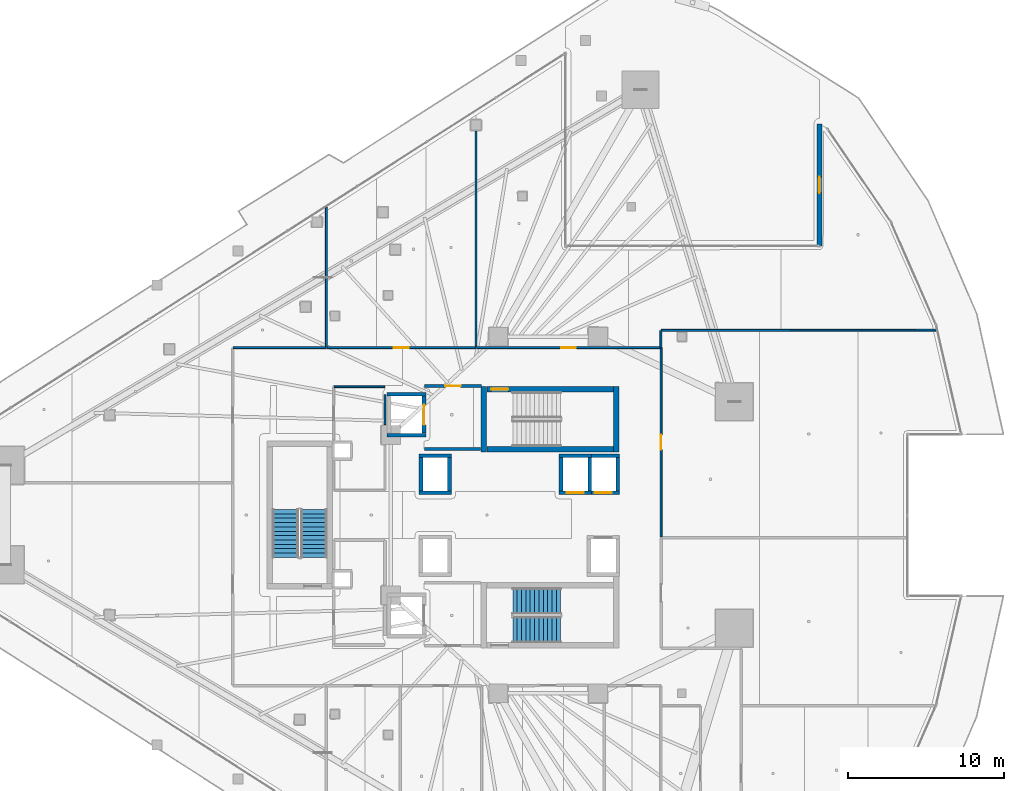
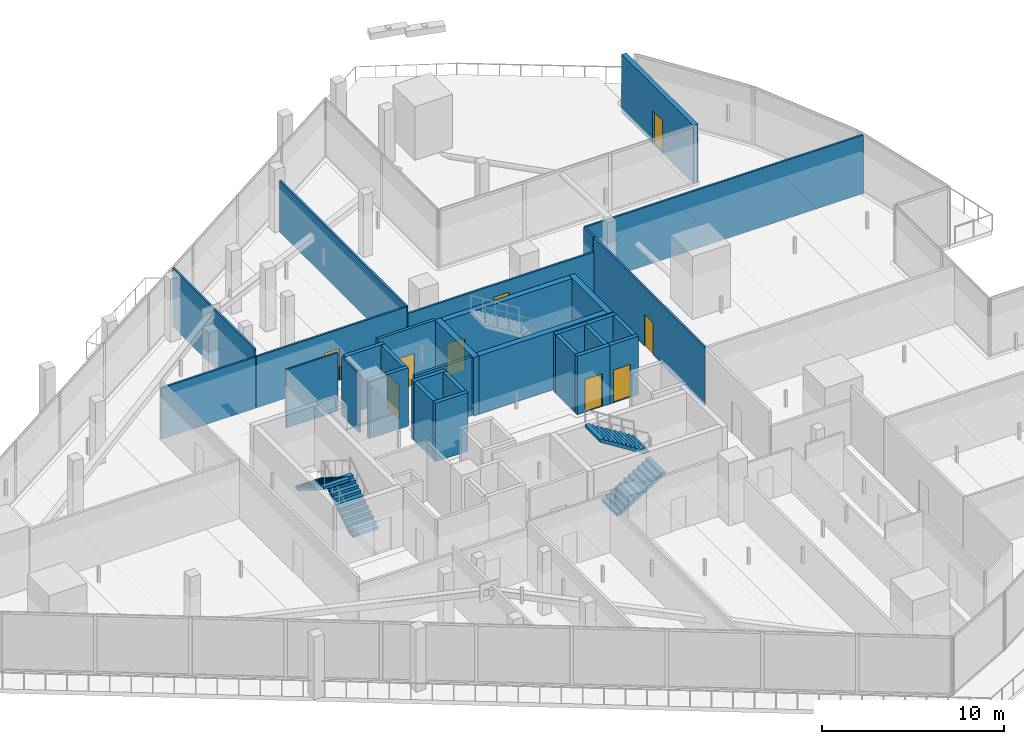
# One storey, part 33 of 47: 31 walls, 9 doors, 4 stair flights, 9 openings, 2 elements without a shape of their own.
"""IFC4 building model written with IfcOpenShell, lengths in metres."""

from ifc_helpers import new_model, si_unit, direction, frame, frame_2d, origin, place, context, subcontext, project, spatial, polyline, rectangle, outline, extrude, material, layer, layer_set, type_object, element, fill, aggregate, save


model = new_model("IFC4")

# Units and contexts
model_context = context("Model", 3, precision=1e-05, world=origin(), true_north=direction((0.0, 1.0)))
body_context = subcontext(model_context, "Body", "Model", "MODEL_VIEW")
ifc_project = project(units=[si_unit("LENGTHUNIT", "METRE"), si_unit("AREAUNIT", "SQUARE_METRE"), si_unit("VOLUMEUNIT", "CUBIC_METRE"), si_unit("PLANEANGLEUNIT", "RADIAN"), si_unit("MASSUNIT", "GRAM", prefix="KILO")], contexts=[model_context])

# Site, building, storey
site_placement = place(None, origin())
site = spatial("IfcSite", under=ifc_project, at=site_placement, CompositionType="ELEMENT")
building_placement = place(site_placement, origin())
building = spatial("IfcBuilding", under=site, at=building_placement, Name="Qorvath Tower", CompositionType="ELEMENT")
storey_placement = place(building_placement, frame((0.0, 0.0, 74.39990234375)))
storey = spatial("IfcBuildingStorey", under=building, at=storey_placement, Name="L16", CompositionType="ELEMENT", Elevation=74.39990234375)

# Wall
ifc_material_1 = material(Name="Gypsum shaftliner on steel studs", Category="steel")
ifc_layer_1 = layer(ifc_material_1, 0.179931640625)
ifc_layer_set_1 = layer_set([ifc_layer_1], Name="FW-LOBBY")
wall_type_1 = type_object("IfcWallType", Name="FW-LOBBY", PredefinedType="PARTITIONING", material=ifc_layer_set_1)
wall_1_placement = place(storey_placement, frame((-28.35498046875, 4.25, 0.0), z_axis=(0.0, 0.0, 1.0), x_axis=(1.0, 0.0, 0.0)))
element("IfcWall", 1, at=wall_1_placement, inside=storey, type_object=wall_type_1, Name="Interior Partition IW-T1-L16-001", PredefinedType="PARTITIONING", context=body_context, shape_type="SweptSolid", body=[
    extrude(rectangle(XDim=3.6220703125, YDim=0.179931640625, at=frame_2d((1.81103515625, 0.0))), origin(), (0.0, 0.0, 1.0), 3.920166015625),
])

# Wall, opening, door
wall_2_placement = place(storey_placement, frame((-24.68408203125, 8.300048828125, 0.0), z_axis=(0.0, 0.0, 1.0), x_axis=(-1.0, 0.0, 0.0)))
wall_2 = element("IfcWall", 2, at=wall_2_placement, inside=storey, type_object=wall_type_1, Name="Interior Partition IW-T1-L16-002", PredefinedType="PARTITIONING", context=body_context, shape_type="SweptSolid", body=[
    extrude(rectangle(XDim=3.6708984375, YDim=0.179931640625, at=frame_2d((1.83544921875, 0.0))), origin(), (0.0, 0.0, 1.0), 3.920166015625),
])
opening_1_placement = place(wall_2_placement, frame((1.33544921875, 0.0, 0.0)))
opening_1 = element("IfcOpeningElement", 3, at=opening_1_placement, cuts=wall_2, Name="Opening D-T1-L16-16", PredefinedType="OPENING", context=body_context, shape_type="SweptSolid", body=[
    extrude(rectangle(XDim=1.0, YDim=2.14990234375, at=frame_2d((0.5, 1.074951171875))), frame((0.0, 0.10009765625, 0.0), z_axis=(0.0, -1.0, 0.0), x_axis=(1.0, 0.0, 0.0)), (0.0, 0.0, 1.0), 0.199951171875),
])
ifc_material_2 = material(Name="Painted galvanised hollow metal", Category="steel")
door_type_1 = type_object("IfcDoorType", Name="FD-60", OperationType="NOTDEFINED", PredefinedType="DOOR", material=ifc_material_2)
door_1_placement = place(opening_1_placement, origin())
door_1 = element("IfcDoor", 4, at=door_1_placement, inside=storey, type_object=door_type_1, Name="Lobby Fire Service Elevator North Door D-T1-L16-16", OperationType="SINGLE_SWING_LEFT", OverallHeight=2.14990234375, OverallWidth=1.0, PredefinedType="DOOR", context=body_context, shape_type="SweptSolid", body=[
    extrude(rectangle(XDim=1.0, YDim=2.14990234375, at=frame_2d((0.5, 1.074951171875))), frame((0.0, 0.02490234375, 0.0), z_axis=(0.0, -1.0, 0.0), x_axis=(1.0, 0.0, 0.0)), (0.0, 0.0, 1.0), 0.050048828125),
])
fill(opening_1, door_1)

ifc_material_3 = material(Name="Gypsum board on metal studs with mineral wool", Category="gypsum")
ifc_layer_2 = layer(ifc_material_3, 0.125)
ifc_layer_set_2 = layer_set([ifc_layer_2], Name="IW-PART-125")
wall_type_2 = type_object("IfcWallType", Name="IW-PART-125", PredefinedType="PARTITIONING", material=ifc_layer_set_2)
wall_3_placement = place(storey_placement, frame((-34.625, 10.758056640625, 0.0), z_axis=(0.0, 0.0, 1.0), x_axis=(1.0, 0.0, 0.0)))
wall_3 = element("IfcWall", 5, at=wall_3_placement, inside=storey, type_object=wall_type_2, Name="Interior Partition IW-T1-L16-017", PredefinedType="PARTITIONING", context=body_context, shape_type="SweptSolid", body=[
    extrude(rectangle(XDim=9.566162109375, YDim=0.125, at=frame_2d((4.783203125, 0.0))), origin(), (0.0, 0.0, 1.0), 3.43310546875),
])
opening_2_placement = place(wall_3_placement, frame((4.30810546875, 0.0, 0.0)))
opening_2 = element("IfcOpeningElement", 6, at=opening_2_placement, cuts=wall_3, Name="Opening D-T1-L16-03", PredefinedType="OPENING", context=body_context, shape_type="SweptSolid", body=[
    extrude(rectangle(XDim=0.949951171875, YDim=2.14990234375, at=frame_2d((0.47509765625, 1.074951171875))), frame((0.0, 0.072509765625, 0.0), z_axis=(0.0, -1.0, 0.0), x_axis=(1.0, 0.0, 0.0)), (0.0, 0.0, 1.0), 0.14501953125),
])
ifc_material_4 = material(Name="Solid-core American white oak veneer", Category="wood")
door_type_2 = type_object("IfcDoorType", Name="D-01", OperationType="NOTDEFINED", PredefinedType="DOOR", material=ifc_material_4)
door_2_placement = place(opening_2_placement, origin())
door_2 = element("IfcDoor", 7, at=door_2_placement, inside=storey, type_object=door_type_2, Name="L16-01 Focus Collaboration Pod Door D-T1-L16-03", OperationType="SINGLE_SWING_RIGHT", OverallHeight=2.14990234375, OverallWidth=0.949951171875, PredefinedType="DOOR", context=body_context, shape_type="SweptSolid", body=[
    extrude(rectangle(XDim=0.949951171875, YDim=2.14990234375, at=frame_2d((0.47509765625, 1.074951171875))), frame((0.0, 0.02490234375, 0.0), z_axis=(0.0, -1.0, 0.0), x_axis=(1.0, 0.0, 0.0)), (0.0, 0.0, 1.0), 0.050048828125),
])
fill(opening_2, door_2)

# Walls
wall_4_placement = place(storey_placement, frame((-25.033935546875, 10.783203125, 0.0), z_axis=(0.0, 0.0, 1.0), x_axis=(0.0, 1.0, 0.0)))
element("IfcWall", 8, at=wall_4_placement, inside=storey, type_object=wall_type_2, Name="Interior Partition IW-T1-L16-018", PredefinedType="PARTITIONING", context=body_context, shape_type="SweptSolid", body=[
    extrude(rectangle(XDim=13.885498046875, YDim=0.125, at=frame_2d((6.94287109375, 0.0))), origin(), (0.0, 0.0, 1.0), 3.43310546875),
])
wall_5_placement = place(storey_placement, frame((-34.64990234375, 19.766357421875, 0.0), z_axis=(0.0, 0.0, 1.0), x_axis=(0.0, -1.0, 0.0)))
element("IfcWall", 9, at=wall_5_placement, inside=storey, type_object=wall_type_2, Name="Interior Partition IW-T1-L16-019", PredefinedType="PARTITIONING", context=body_context, shape_type="SweptSolid", body=[
    extrude(rectangle(XDim=8.983154296875, YDim=0.125, at=frame_2d((4.49169921875, 0.0))), origin(), (0.0, 0.0, 1.0), 3.920166015625),
])

# Wall, opening, door
wall_6_placement = place(storey_placement, frame((-25.0009765625, 10.758056640625, 0.0), z_axis=(0.0, 0.0, 1.0), x_axis=(1.0, 0.0, 0.0)))
wall_6 = element("IfcWall", 10, at=wall_6_placement, inside=storey, type_object=wall_type_2, Name="Interior Partition IW-T1-L16-020", PredefinedType="PARTITIONING", context=body_context, shape_type="SweptSolid", body=[
    extrude(rectangle(XDim=11.826171875, YDim=0.125, at=frame_2d((5.9130859375, 0.0))), origin(), (0.0, 0.0, 1.0), 2.95703125),
])
opening_3_placement = place(wall_6_placement, frame((5.43798828125, 0.0, 0.0)))
opening_3 = element("IfcOpeningElement", 11, at=opening_3_placement, cuts=wall_6, Name="Opening D-T1-L16-04", PredefinedType="OPENING", context=body_context, shape_type="SweptSolid", body=[
    extrude(rectangle(XDim=0.949951171875, YDim=2.14990234375, at=frame_2d((0.47509765625, 1.074951171875))), frame((0.0, 0.072509765625, 0.0), z_axis=(0.0, -1.0, 0.0), x_axis=(1.0, 0.0, 0.0)), (0.0, 0.0, 1.0), 0.14501953125),
])
door_3_placement = place(opening_3_placement, origin())
door_3 = element("IfcDoor", 12, at=door_3_placement, inside=storey, type_object=door_type_2, Name="L16-02 Staff Refreshment Pantry and Coffee Bar Door D-T1-L16-04", OperationType="SINGLE_SWING_LEFT", OverallHeight=2.14990234375, OverallWidth=0.949951171875, PredefinedType="DOOR", context=body_context, shape_type="SweptSolid", body=[
    extrude(rectangle(XDim=0.949951171875, YDim=2.14990234375, at=frame_2d((0.47509765625, 1.074951171875))), frame((0.0, 0.02490234375, 0.0), z_axis=(0.0, -1.0, 0.0), x_axis=(1.0, 0.0, 0.0)), (0.0, 0.0, 1.0), 0.050048828125),
])
fill(opening_3, door_3)

# Walls
wall_7_placement = place(storey_placement, frame((-13.14990234375, 11.845703125, 0.0), z_axis=(0.0, 0.0, 1.0), x_axis=(0.0, -1.0, 0.0)))
element("IfcWall", 13, at=wall_7_placement, inside=storey, type_object=wall_type_2, Name="Interior Partition IW-T1-L16-021", PredefinedType="PARTITIONING", context=body_context, shape_type="SweptSolid", body=[
    extrude(rectangle(XDim=1.0625, YDim=0.125, at=frame_2d((0.53125, 0.0))), origin(), (0.0, 0.0, 1.0), 3.920166015625),
])
wall_8_placement = place(storey_placement, frame((-13.125, 11.87060546875, 0.0), z_axis=(0.0, 0.0, 1.0), x_axis=(0.999999908086, 0.000428751188, 0.0)))
element("IfcWall", 14, at=wall_8_placement, inside=storey, type_object=wall_type_2, Name="Interior Partition IW-T1-L16-022", PredefinedType="PARTITIONING", context=body_context, shape_type="SweptSolid", body=[
    extrude(rectangle(XDim=17.652099609375, YDim=0.125, at=frame_2d((8.826171875, 0.0))), origin(), (0.0, 0.0, 1.0), 3.920166015625),
])

# Wall, opening, door
wall_9_placement = place(storey_placement, frame((-13.14208984375, 10.75830078125, 0.0), z_axis=(0.0, 0.0, 1.0), x_axis=(0.0, -1.0, 0.0)))
wall_9 = element("IfcWall", 15, at=wall_9_placement, inside=storey, type_object=wall_type_2, Name="Interior Partition IW-T1-L16-045", PredefinedType="PARTITIONING", context=body_context, shape_type="SweptSolid", body=[
    extrude(rectangle(XDim=12.16650390625, YDim=0.125, at=frame_2d((6.083251953125, 0.0))), origin(), (0.0, 0.0, 1.0), 3.920166015625),
])
opening_4_placement = place(wall_9_placement, frame((5.608154296875, 0.0, 0.0)))
opening_4 = element("IfcOpeningElement", 16, at=opening_4_placement, cuts=wall_9, Name="Opening D-T1-L16-13", PredefinedType="OPENING", context=body_context, shape_type="SweptSolid", body=[
    extrude(rectangle(XDim=0.949951171875, YDim=2.14990234375, at=frame_2d((0.47509765625, 1.074951171875))), frame((0.0, 0.072509765625, 0.0), z_axis=(0.0, -1.0, 0.0), x_axis=(1.0, 0.0, 0.0)), (0.0, 0.0, 1.0), 0.14501953125),
])
door_4_placement = place(opening_4_placement, origin())
door_4 = element("IfcDoor", 17, at=door_4_placement, inside=storey, type_object=door_type_2, Name="L16-11 Engineering Documentation Suite Door D-T1-L16-13", OperationType="SINGLE_SWING_RIGHT", OverallHeight=2.14990234375, OverallWidth=0.949951171875, PredefinedType="DOOR", context=body_context, shape_type="SweptSolid", body=[
    extrude(rectangle(XDim=0.949951171875, YDim=2.14990234375, at=frame_2d((0.47509765625, 1.074951171875))), frame((0.0, 0.02490234375, 0.0), z_axis=(0.0, -1.0, 0.0), x_axis=(1.0, 0.0, 0.0)), (0.0, 0.0, 1.0), 0.050048828125),
])
fill(opening_4, door_4)

# Walls
wall_10_placement = place(storey_placement, frame((-34.68310546875, 10.758056640625, 0.0), z_axis=(0.0, 0.0, 1.0), x_axis=(-1.0, 0.0, 0.0)))
element("IfcWall", 18, at=wall_10_placement, inside=storey, type_object=wall_type_2, Name="Interior Partition IW-T1-L16-051", PredefinedType="PARTITIONING", context=body_context, shape_type="SweptSolid", body=[
    extrude(rectangle(XDim=5.949951171875, YDim=0.125, at=frame_2d((2.97509765625, 0.0))), origin(), (0.0, 0.0, 1.0), 3.43310546875),
])
ifc_material_5 = material(Name="Moisture-resistant cement board on metal studs", Category="gypsum")
ifc_layer_3 = layer(ifc_material_5, 0.110107421875)
ifc_layer_set_3 = layer_set([ifc_layer_3], Name="IW-WC-110")
wall_type_3 = type_object("IfcWallType", Name="IW-WC-110", PredefinedType="PARTITIONING", material=ifc_layer_set_3)
wall_11_placement = place(storey_placement, frame((-30.8798828125, 5.81494140625, 0.0), z_axis=(0.0, 0.0, 1.0), x_axis=(0.0, 1.0, 0.0)))
element("IfcWall", 19, at=wall_11_placement, inside=storey, type_object=wall_type_3, Name="Interior Partition IW-T1-L16-007", PredefinedType="PARTITIONING", context=body_context, shape_type="SweptSolid", body=[
    extrude(rectangle(XDim=1.927978515625, YDim=0.110107421875, at=frame_2d((0.9638671875, 0.0))), origin(), (0.0, 0.0, 1.0), 3.920166015625),
])
wall_12_placement = place(storey_placement, frame((-30.90478515625, 8.25, 0.0), z_axis=(0.0, 0.0, 1.0), x_axis=(-1.0, 0.0, 0.0)))
element("IfcWall", 20, at=wall_12_placement, inside=storey, type_object=wall_type_3, Name="Interior Partition IW-T1-L16-008", PredefinedType="PARTITIONING", context=body_context, shape_type="SweptSolid", body=[
    extrude(rectangle(XDim=3.25, YDim=0.110107421875, at=frame_2d((1.625, 0.0))), origin(), (0.0, 0.0, 1.0), 3.920166015625),
])
ifc_material_6 = material(Name="Concrete C60/75", Category="concrete")
ifc_layer_4 = layer(ifc_material_6, 0.260009765625)
ifc_layer_set_4 = layer_set([ifc_layer_4], Name="SW-SHAFT")
wall_type_4 = type_object("IfcWallType", Name="SW-SHAFT", PredefinedType="SHEAR", material=ifc_layer_set_4)
for number, where, z_axis, x_axis, name in (
    (21, (-28.260009765625, 5.1298828125, 0.0), (0.0, 0.0, 1.0), (-1.0, 0.0, 0.0), "Hoistway Wall FSAE-1 L16 S"),
    (22, (-30.739990234375, 7.77001953125, 0.0), (0.0, 0.0, 1.0), (1.0, 0.0, 0.0), "Hoistway Wall FSAE-1 L16 N"),
):
    element("IfcWall", number, at=place(storey_placement, frame(where, z_axis=z_axis, x_axis=x_axis)), inside=storey, type_object=wall_type_4, Name=name, PredefinedType="SHEAR", context=body_context, shape_type="SweptSolid", body=[
        extrude(rectangle(XDim=2.47998046875, YDim=0.239990234375, at=frame_2d((1.239990234375, 0.0))), origin(), (0.0, 0.0, 1.0), 3.920166015625),
    ])

# Wall, opening, door
wall_13_placement = place(storey_placement, frame((-28.3798828125, 7.637939453125, 0.0), z_axis=(0.0, 0.0, 1.0), x_axis=(0.0, -1.0, 0.0)))
wall_13 = element("IfcWall", 23, at=wall_13_placement, inside=storey, type_object=wall_type_4, Name="Hoistway Wall FSAE-1 L16 E", PredefinedType="SHEAR", context=body_context, shape_type="SweptSolid", body=[
    extrude(rectangle(XDim=2.3759765625, YDim=0.239990234375, at=frame_2d((1.18798828125, 0.0))), origin(), (0.0, 0.0, 1.0), 3.920166015625),
])
opening_5_placement = place(wall_13_placement, frame((0.537841796875, 0.0, 0.0)))
opening_5 = element("IfcOpeningElement", 24, at=opening_5_placement, cuts=wall_13, Name="Opening LD-FSAE-1-L16", PredefinedType="OPENING", context=body_context, shape_type="SweptSolid", body=[
    extrude(rectangle(XDim=1.300048828125, YDim=2.300048828125, at=frame_2d((0.64990234375, 1.14990234375))), frame((0.0, 0.1298828125, 0.0), z_axis=(0.0, -1.0, 0.0), x_axis=(1.0, 0.0, 0.0)), (0.0, 0.0, 1.0), 0.260009765625),
])
ifc_material_7 = material(Name="Brushed stainless steel AISI 316", Category="steel")
door_type_3 = type_object("IfcDoorType", Name="LD-02", OperationType="NOTDEFINED", PredefinedType="DOOR", material=ifc_material_7)
door_5_placement = place(opening_5_placement, origin())
door_5 = element("IfcDoor", 25, at=door_5_placement, inside=storey, type_object=door_type_3, Name="Elevator Landing Sliding Door LD-FSAE-1-L16", OperationType="DOUBLE_DOOR_SLIDING", OverallHeight=2.300048828125, OverallWidth=1.300048828125, PredefinedType="DOOR", context=body_context, shape_type="SweptSolid", body=[
    extrude(rectangle(XDim=1.300048828125, YDim=2.300048828125, at=frame_2d((0.64990234375, 1.14990234375))), frame((0.0, 0.02490234375, 0.0), z_axis=(0.0, -1.0, 0.0), x_axis=(1.0, 0.0, 0.0)), (0.0, 0.0, 1.0), 0.050048828125),
])
fill(opening_5, door_5)

# Walls
for number, where, z_axis, x_axis, name in (
    (26, (-26.610107421875, 1.429931640625, 0.0), (0.0, 0.0, 1.0), (-1.0, 0.0, 0.0), "Hoistway Wall PS-1 L16 S"),
    (27, (-28.68994140625, 3.820068359375, 0.0), (0.0, 0.0, 1.0), (1.0, 0.0, 0.0), "Hoistway Wall PS-1 L16 N"),
):
    element("IfcWall", number, at=place(storey_placement, frame(where, z_axis=z_axis, x_axis=x_axis)), inside=storey, type_object=wall_type_4, Name=name, PredefinedType="SHEAR", context=body_context, shape_type="SweptSolid", body=[
        extrude(rectangle(XDim=2.079833984375, YDim=0.239990234375, at=frame_2d((1.0400390625, 0.0))), origin(), (0.0, 0.0, 1.0), 3.920166015625),
    ])
for number, where, z_axis, x_axis, name in (
    (28, (-28.570068359375, 1.56201171875, 0.0), (0.0, 0.0, 1.0), (0.0, 1.0, 0.0), "Hoistway Wall PS-1 L16 W"),
    (29, (-26.72998046875, 3.68798828125, 0.0), (0.0, 0.0, 1.0), (0.0, -1.0, 0.0), "Hoistway Wall PS-1 L16 E"),
):
    element("IfcWall", number, at=place(storey_placement, frame(where, z_axis=z_axis, x_axis=x_axis)), inside=storey, type_object=wall_type_4, Name=name, PredefinedType="SHEAR", context=body_context, shape_type="SweptSolid", body=[
        extrude(rectangle(XDim=2.1259765625, YDim=0.239990234375, at=frame_2d((1.06298828125, 0.0))), origin(), (0.0, 0.0, 1.0), 3.920166015625),
    ])

# Wall, opening, door
wall_14_placement = place(storey_placement, frame((-17.610107421875, 1.429931640625, 0.0), z_axis=(0.0, 0.0, 1.0), x_axis=(-1.0, 0.0, 0.0)))
wall_14 = element("IfcWall", 30, at=wall_14_placement, inside=storey, type_object=wall_type_4, Name="Hoistway Wall PL-1 L16 S", PredefinedType="SHEAR", context=body_context, shape_type="SweptSolid", body=[
    extrude(rectangle(XDim=2.079833984375, YDim=0.239990234375, at=frame_2d((1.0400390625, 0.0))), origin(), (0.0, 0.0, 1.0), 3.920166015625),
])
opening_6_placement = place(wall_14_placement, frame((0.48974609375, 0.0, 0.0)))
opening_6 = element("IfcOpeningElement", 31, at=opening_6_placement, cuts=wall_14, Name="Opening LD-PL-1-L16", PredefinedType="OPENING", context=body_context, shape_type="SweptSolid", body=[
    extrude(rectangle(XDim=1.10009765625, YDim=2.199951171875, at=frame_2d((0.550048828125, 1.10009765625))), frame((0.0, 0.1298828125, 0.0), z_axis=(0.0, -1.0, 0.0), x_axis=(1.0, 0.0, 0.0)), (0.0, 0.0, 1.0), 0.260009765625),
])
ifc_material_8 = material(Name="Brushed stainless steel AISI 316", Category="steel")
door_type_4 = type_object("IfcDoorType", Name="LD-01", OperationType="NOTDEFINED", PredefinedType="DOOR", material=ifc_material_8)
door_6_placement = place(opening_6_placement, origin())
door_6 = element("IfcDoor", 32, at=door_6_placement, inside=storey, type_object=door_type_4, Name="Elevator Landing Sliding Door LD-PL-1-L16", OperationType="DOUBLE_DOOR_SLIDING", OverallHeight=2.199951171875, OverallWidth=1.10009765625, PredefinedType="DOOR", context=body_context, shape_type="SweptSolid", body=[
    extrude(rectangle(XDim=1.10009765625, YDim=2.199951171875, at=frame_2d((0.550048828125, 1.10009765625))), frame((0.0, 0.02490234375, 0.0), z_axis=(0.0, -1.0, 0.0), x_axis=(1.0, 0.0, 0.0)), (0.0, 0.0, 1.0), 0.050048828125),
])
fill(opening_6, door_6)

# Walls
wall_15_placement = place(storey_placement, frame((-19.68994140625, 3.820068359375, 0.0), z_axis=(0.0, 0.0, 1.0), x_axis=(1.0, 0.0, 0.0)))
element("IfcWall", 33, at=wall_15_placement, inside=storey, type_object=wall_type_4, Name="Hoistway Wall PL-1 L16 N", PredefinedType="SHEAR", context=body_context, shape_type="SweptSolid", body=[
    extrude(rectangle(XDim=2.079833984375, YDim=0.239990234375, at=frame_2d((1.0400390625, 0.0))), origin(), (0.0, 0.0, 1.0), 3.920166015625),
])
for number, where, z_axis, x_axis, name in (
    (34, (-19.570068359375, 1.56201171875, 0.0), (0.0, 0.0, 1.0), (0.0, 1.0, 0.0), "Hoistway Wall PL-1 L16 W"),
    (35, (-17.72998046875, 3.68798828125, 0.0), (0.0, 0.0, 1.0), (0.0, -1.0, 0.0), "Hoistway Wall PL-1 L16 E"),
):
    element("IfcWall", number, at=place(storey_placement, frame(where, z_axis=z_axis, x_axis=x_axis)), inside=storey, type_object=wall_type_4, Name=name, PredefinedType="SHEAR", context=body_context, shape_type="SweptSolid", body=[
        extrude(rectangle(XDim=2.1259765625, YDim=0.239990234375, at=frame_2d((1.06298828125, 0.0))), origin(), (0.0, 0.0, 1.0), 3.920166015625),
    ])

# Wall, opening, door
wall_16_placement = place(storey_placement, frame((-15.81005859375, 1.429931640625, 0.0), z_axis=(0.0, 0.0, 1.0), x_axis=(-1.0, 0.0, 0.0)))
wall_16 = element("IfcWall", 36, at=wall_16_placement, inside=storey, type_object=wall_type_4, Name="Hoistway Wall PL-3 L16 S", PredefinedType="SHEAR", context=body_context, shape_type="SweptSolid", body=[
    extrude(rectangle(XDim=1.800048828125, YDim=0.239990234375, at=frame_2d((0.89990234375, 0.0))), origin(), (0.0, 0.0, 1.0), 3.920166015625),
])
opening_7_placement = place(wall_16_placement, frame((0.489990234375, 0.0, 0.0)))
opening_7 = element("IfcOpeningElement", 37, at=opening_7_placement, cuts=wall_16, Name="Opening LD-PL-3-L16", PredefinedType="OPENING", context=body_context, shape_type="SweptSolid", body=[
    extrude(rectangle(XDim=1.10009765625, YDim=2.199951171875, at=frame_2d((0.550048828125, 1.10009765625))), frame((0.0, 0.1298828125, 0.0), z_axis=(0.0, -1.0, 0.0), x_axis=(1.0, 0.0, 0.0)), (0.0, 0.0, 1.0), 0.260009765625),
])
door_7_placement = place(opening_7_placement, origin())
door_7 = element("IfcDoor", 38, at=door_7_placement, inside=storey, type_object=door_type_4, Name="Elevator Landing Sliding Door LD-PL-3-L16", OperationType="DOUBLE_DOOR_SLIDING", OverallHeight=2.199951171875, OverallWidth=1.10009765625, PredefinedType="DOOR", context=body_context, shape_type="SweptSolid", body=[
    extrude(rectangle(XDim=1.10009765625, YDim=2.199951171875, at=frame_2d((0.550048828125, 1.10009765625))), frame((0.0, 0.02490234375, 0.0), z_axis=(0.0, -1.0, 0.0), x_axis=(1.0, 0.0, 0.0)), (0.0, 0.0, 1.0), 0.050048828125),
])
fill(opening_7, door_7)

# Walls
wall_17_placement = place(storey_placement, frame((-17.610107421875, 3.820068359375, 0.0), z_axis=(0.0, 0.0, 1.0), x_axis=(1.0, 0.0, 0.0)))
element("IfcWall", 39, at=wall_17_placement, inside=storey, type_object=wall_type_4, Name="Hoistway Wall PL-3 L16 N", PredefinedType="SHEAR", context=body_context, shape_type="SweptSolid", body=[
    extrude(rectangle(XDim=1.800048828125, YDim=0.239990234375, at=frame_2d((0.89990234375, 0.0))), origin(), (0.0, 0.0, 1.0), 3.920166015625),
])
wall_18_placement = place(storey_placement, frame((-15.929931640625, 3.68798828125, 0.0), z_axis=(0.0, 0.0, 1.0), x_axis=(0.0, -1.0, 0.0)))
element("IfcWall", 40, at=wall_18_placement, inside=storey, type_object=wall_type_4, Name="Hoistway Wall PL-3 L16 E", PredefinedType="SHEAR", context=body_context, shape_type="SweptSolid", body=[
    extrude(rectangle(XDim=2.1259765625, YDim=0.239990234375, at=frame_2d((1.06298828125, 0.0))), origin(), (0.0, 0.0, 1.0), 3.920166015625),
])
ifc_material_9 = material(Name="Concrete C60/75", Category="concrete")
ifc_layer_5 = layer(ifc_material_9, 0.35009765625)
ifc_layer_set_5 = layer_set([ifc_layer_5], Name="SW-STAIR")
wall_type_5 = type_object("IfcWallType", Name="SW-STAIR", PredefinedType="SHEAR", material=ifc_layer_set_5)
for number, where, z_axis, x_axis, name in (
    (41, (-24.52490234375, 8.260009765625, 0.0), (0.0, 0.0, 1.0), (0.0, -1.0, 0.0), "Stair TS1 Shear Wall L16 NEAR"),
    (42, (-16.02490234375, 4.050048828125, 0.0), (0.0, 0.0, 1.0), (0.0, 1.0, 0.0), "Stair TS1 Shear Wall L16 FAR"),
):
    element("IfcWall", number, at=place(storey_placement, frame(where, z_axis=z_axis, x_axis=x_axis)), inside=storey, type_object=wall_type_5, Name=name, PredefinedType="SHEAR", context=body_context, shape_type="SweptSolid", body=[
        extrude(rectangle(XDim=4.2099609375, YDim=0.35009765625, at=frame_2d((2.10498046875, 0.0))), origin(), (0.0, 0.0, 1.0), 3.920166015625),
    ])
wall_19_placement = place(storey_placement, frame((-24.3349609375, 4.22509765625, 0.0), z_axis=(0.0, 0.0, 1.0), x_axis=(1.0, 0.0, 0.0)))
element("IfcWall", 43, at=wall_19_placement, inside=storey, type_object=wall_type_5, Name="Stair TS1 Shear Wall L16 LEFT", PredefinedType="SHEAR", context=body_context, shape_type="SweptSolid", body=[
    extrude(rectangle(XDim=8.119873046875, YDim=0.35009765625, at=frame_2d((4.06005859375, 0.0))), origin(), (0.0, 0.0, 1.0), 3.920166015625),
])

# Wall, opening, door
wall_20_placement = place(storey_placement, frame((-16.215087890625, 8.0849609375, 0.0), z_axis=(0.0, 0.0, 1.0), x_axis=(-1.0, 0.0, 0.0)))
wall_20 = element("IfcWall", 44, at=wall_20_placement, inside=storey, type_object=wall_type_5, Name="Stair TS1 Shear Wall L16 RIGHT", PredefinedType="SHEAR", context=body_context, shape_type="SweptSolid", body=[
    extrude(rectangle(XDim=8.119873046875, YDim=0.35009765625, at=frame_2d((4.06005859375, 0.0))), origin(), (0.0, 0.0, 1.0), 3.920166015625),
])
opening_8_placement = place(wall_20_placement, frame((6.739990234375, 0.0, 0.0)))
opening_8 = element("IfcOpeningElement", 45, at=opening_8_placement, cuts=wall_20, Name="Opening D-TS1-L16", PredefinedType="OPENING", context=body_context, shape_type="SweptSolid", body=[
    extrude(rectangle(XDim=1.10009765625, YDim=2.199951171875, at=frame_2d((0.550048828125, 1.10009765625))), frame((0.0, 0.18505859375, 0.0), z_axis=(0.0, -1.0, 0.0), x_axis=(1.0, 0.0, 0.0)), (0.0, 0.0, 1.0), 0.3701171875),
])
ifc_material_10 = material(Name="Painted galvanised hollow metal", Category="steel")
door_type_5 = type_object("IfcDoorType", Name="FD-90", OperationType="NOTDEFINED", PredefinedType="DOOR", material=ifc_material_10)
door_8_placement = place(opening_8_placement, origin())
door_8 = element("IfcDoor", 46, at=door_8_placement, inside=storey, type_object=door_type_5, Name="Stair TS1 Fire Door L16", OperationType="SINGLE_SWING_LEFT", OverallHeight=2.199951171875, OverallWidth=1.10009765625, PredefinedType="DOOR", context=body_context, shape_type="SweptSolid", body=[
    extrude(rectangle(XDim=1.10009765625, YDim=2.199951171875, at=frame_2d((0.550048828125, 1.10009765625))), frame((0.0, 0.02490234375, 0.0), z_axis=(0.0, -1.0, 0.0), x_axis=(1.0, 0.0, 0.0)), (0.0, 0.0, 1.0), 0.050048828125),
])
fill(opening_8, door_8)

ifc_material_11 = material(Name="Precast concrete C45/55", Category="concrete")
ifc_layer_6 = layer(ifc_material_11, 0.300048828125)
ifc_layer_set_6 = layer_set([ifc_layer_6], Name="WL-EW-LOG-300")
wall_type_6 = type_object("IfcWallType", Name="WL-EW-LOG-300", PredefinedType="SOLIDWALL", material=ifc_layer_set_6)
wall_21_placement = place(storey_placement, frame((-2.9599609375, 25.141845703125, 0.0), z_axis=(0.0, 0.0, 1.0), x_axis=(0.0, -1.0, 0.0)))
wall_21 = element("IfcWall", 47, at=wall_21_placement, inside=storey, type_object=wall_type_6, Name="Tower Precast Loggia Wall L16-1.1", PredefinedType="SOLIDWALL", context=body_context, shape_type="SweptSolid", body=[
    extrude(rectangle(XDim=7.86181640625, YDim=0.300048828125, at=frame_2d((3.930908203125, 0.0))), origin(), (0.0, 0.0, 1.0), 3.920166015625),
])
opening_9_placement = place(wall_21_placement, frame((3.406005859375, 0.0, 0.0)))
opening_9 = element("IfcOpeningElement", 48, at=opening_9_placement, cuts=wall_21, Name="Opening ED-L16-01", PredefinedType="OPENING", context=body_context, shape_type="SweptSolid", body=[
    extrude(rectangle(XDim=1.050048828125, YDim=2.199951171875, at=frame_2d((0.52490234375, 1.10009765625))), frame((0.0, 0.16015625, 0.0), z_axis=(0.0, -1.0, 0.0), x_axis=(1.0, 0.0, 0.0)), (0.0, 0.0, 1.0), 0.320068359375),
])
ifc_material_12 = material(Name="Thermally broken aluminium glazed door", Category="aluminium")
door_type_6 = type_object("IfcDoorType", Name="ED-LOG", OperationType="NOTDEFINED", PredefinedType="DOOR", material=ifc_material_12)
door_9_placement = place(opening_9_placement, origin())
door_9 = element("IfcDoor", 49, at=door_9_placement, inside=storey, type_object=door_type_6, Name="L16 Recessed Loggia Access Door 1", OperationType="SINGLE_SWING_LEFT", OverallHeight=2.199951171875, OverallWidth=1.050048828125, PredefinedType="DOOR", context=body_context, shape_type="SweptSolid", body=[
    extrude(rectangle(XDim=1.050048828125, YDim=2.199951171875, at=frame_2d((0.52490234375, 1.10009765625))), frame((0.0, 0.02490234375, 0.0), z_axis=(0.0, -1.0, 0.0), x_axis=(1.0, 0.0, 0.0)), (0.0, 0.0, 1.0), 0.050048828125),
])
fill(opening_9, door_9)

# Stair, stair flights
ifc_material_13 = material(Name="Concrete C50/60", Category="concrete")
stair_type = type_object("IfcStairType", Name="ST-H420", PredefinedType="HALF_TURN_STAIR", material=ifc_material_13)
stair_1_placement = place(storey_placement, origin())
stair_1 = element("IfcStair", 50, at=stair_1_placement, inside=storey, type_object=stair_type, Name="L16 Tower Exit Stair 2", PredefinedType="HALF_TURN_STAIR")
ifc_material_14 = material(Name="Concrete C50/60", Category="concrete")
ifc_layer_7 = layer(ifc_material_14, 0.14990234375)
ifc_layer_set_7 = layer_set([ifc_layer_7], Name="SF-H420")
stair_flight_type = type_object("IfcStairFlightType", Name="SF-H420", PredefinedType="STRAIGHT", material=ifc_layer_set_7)
stair_flight_1_placement = place(storey_placement, frame((-22.669921875, -7.360107421875, 0.0), z_axis=(0.0, 0.0, 1.0), x_axis=(1.0, 0.0, 0.0)))
stair_flight_1 = element("IfcStairFlight", 51, at=stair_flight_1_placement, type_object=stair_flight_type, Name="TS2 flight 1", NumberOfRisers=12, NumberOfTreads=11, PredefinedType="STRAIGHT", RiserHeight=0.175, TreadLength=0.28, context=body_context, shape_type="SweptSolid", body=[
    extrude(outline(polyline([(0.0, 0.0), (0.0, 0.175048828125), (0.280029296875, 0.175048828125), (0.280029296875, 0.35009765625), (0.56005859375, 0.35009765625), (0.56005859375, 0.52490234375), (0.840087890625, 0.52490234375), (0.840087890625, 0.699951171875), (1.1201171875, 0.699951171875), (1.1201171875, 0.875), (1.39990234375, 0.875), (1.39990234375, 1.050048828125), (1.679931640625, 1.050048828125), (1.679931640625, 1.22509765625), (1.9599609375, 1.22509765625), (1.9599609375, 1.39990234375), (2.239990234375, 1.39990234375), (2.239990234375, 1.574951171875), (2.52001953125, 1.574951171875), (2.52001953125, 1.75), (2.800048828125, 1.75), (2.800048828125, 1.925048828125), (3.080078125, 1.925048828125), (3.080078125, 2.10009765625), (3.080078125, 1.748291015625), (0.28271484375, 0.0), (0.0, 0.0)])), frame((0.0, 0.83984375, 0.0), z_axis=(0.0, -1.0, 0.0), x_axis=(1.0, 0.0, 0.0)), (0.0, 0.0, 1.0), 1.679931640625),
])
stair_flight_2_placement = place(storey_placement, frame((-19.590087890625, -5.530029296875, 2.10009765625), z_axis=(0.0, 0.0, 1.0), x_axis=(-1.0, 0.0, 0.0)))
stair_flight_2 = element("IfcStairFlight", 52, at=stair_flight_2_placement, type_object=stair_flight_type, Name="TS2 flight 2", NumberOfRisers=12, NumberOfTreads=11, PredefinedType="STRAIGHT", RiserHeight=0.175, TreadLength=0.28, context=body_context, shape_type="SweptSolid", body=[
    extrude(outline(polyline([(0.0, 0.0), (0.0, 0.175048828125), (0.280029296875, 0.175048828125), (0.280029296875, 0.35009765625), (0.56005859375, 0.35009765625), (0.56005859375, 0.52490234375), (0.840087890625, 0.52490234375), (0.840087890625, 0.699951171875), (1.1201171875, 0.699951171875), (1.1201171875, 0.875), (1.39990234375, 0.875), (1.39990234375, 1.050048828125), (1.679931640625, 1.050048828125), (1.679931640625, 1.22509765625), (1.9599609375, 1.22509765625), (1.9599609375, 1.39990234375), (2.239990234375, 1.39990234375), (2.239990234375, 1.574951171875), (2.52001953125, 1.574951171875), (2.52001953125, 1.75), (2.800048828125, 1.75), (2.800048828125, 1.925048828125), (3.080078125, 1.925048828125), (3.080078125, 2.10009765625), (3.080078125, 1.748291015625), (0.28271484375, 0.0), (0.0, 0.0)])), frame((0.0, 0.83984375, 0.0), z_axis=(0.0, -1.0, 0.0), x_axis=(1.0, 0.0, 0.0)), (0.0, 0.0, 1.0), 1.679931640625),
])
aggregate(stair_1, [stair_flight_1, stair_flight_2])

stair_2_placement = place(storey_placement, origin())
stair_2 = element("IfcStair", 53, at=stair_2_placement, inside=storey, type_object=stair_type, Name="L16 Tower Exit Stair 3", PredefinedType="HALF_TURN_STAIR")
stair_flight_3_placement = place(storey_placement, frame((-35.43994140625, -2.719970703125, 0.0), z_axis=(0.0, 0.0, 1.0), x_axis=(0.0, 1.0, 0.0)))
stair_flight_3 = element("IfcStairFlight", 54, at=stair_flight_3_placement, type_object=stair_flight_type, Name="TS3 flight 1", NumberOfRisers=12, NumberOfTreads=11, PredefinedType="STRAIGHT", RiserHeight=0.175, TreadLength=0.28, context=body_context, shape_type="SweptSolid", body=[
    extrude(outline(polyline([(0.0, 0.0), (0.0, 0.175048828125), (0.280029296875, 0.175048828125), (0.280029296875, 0.35009765625), (0.56005859375, 0.35009765625), (0.56005859375, 0.52490234375), (0.840087890625, 0.52490234375), (0.840087890625, 0.699951171875), (1.1201171875, 0.699951171875), (1.1201171875, 0.875), (1.39990234375, 0.875), (1.39990234375, 1.050048828125), (1.679931640625, 1.050048828125), (1.679931640625, 1.22509765625), (1.9599609375, 1.22509765625), (1.9599609375, 1.39990234375), (2.239990234375, 1.39990234375), (2.239990234375, 1.574951171875), (2.52001953125, 1.574951171875), (2.52001953125, 1.75), (2.800048828125, 1.75), (2.800048828125, 1.925048828125), (3.080078125, 1.925048828125), (3.080078125, 2.10009765625), (3.080078125, 1.748291015625), (0.28271484375, 0.0), (0.0, 0.0)])), frame((0.0, 0.83984375, 0.0), z_axis=(0.0, -1.0, 0.0), x_axis=(1.0, 0.0, 0.0)), (0.0, 0.0, 1.0), 1.679931640625),
])
stair_flight_4_placement = place(storey_placement, frame((-37.27001953125, 0.360107421875, 2.10009765625), z_axis=(0.0, 0.0, 1.0), x_axis=(0.0, -1.0, 0.0)))
stair_flight_4 = element("IfcStairFlight", 55, at=stair_flight_4_placement, type_object=stair_flight_type, Name="TS3 flight 2", NumberOfRisers=12, NumberOfTreads=11, PredefinedType="STRAIGHT", RiserHeight=0.175, TreadLength=0.28, context=body_context, shape_type="SweptSolid", body=[
    extrude(outline(polyline([(0.0, 0.0), (0.0, 0.175048828125), (0.280029296875, 0.175048828125), (0.280029296875, 0.35009765625), (0.56005859375, 0.35009765625), (0.56005859375, 0.52490234375), (0.840087890625, 0.52490234375), (0.840087890625, 0.699951171875), (1.1201171875, 0.699951171875), (1.1201171875, 0.875), (1.39990234375, 0.875), (1.39990234375, 1.050048828125), (1.679931640625, 1.050048828125), (1.679931640625, 1.22509765625), (1.9599609375, 1.22509765625), (1.9599609375, 1.39990234375), (2.239990234375, 1.39990234375), (2.239990234375, 1.574951171875), (2.52001953125, 1.574951171875), (2.52001953125, 1.75), (2.800048828125, 1.75), (2.800048828125, 1.925048828125), (3.080078125, 1.925048828125), (3.080078125, 2.10009765625), (3.080078125, 1.748291015625), (0.28271484375, 0.0), (0.0, 0.0)])), frame((0.0, 0.83984375, 0.0), z_axis=(0.0, -1.0, 0.0), x_axis=(1.0, 0.0, 0.0)), (0.0, 0.0, 1.0), 1.679931640625),
])
aggregate(stair_2, [stair_flight_3, stair_flight_4])

save(model, "model.ifc")
